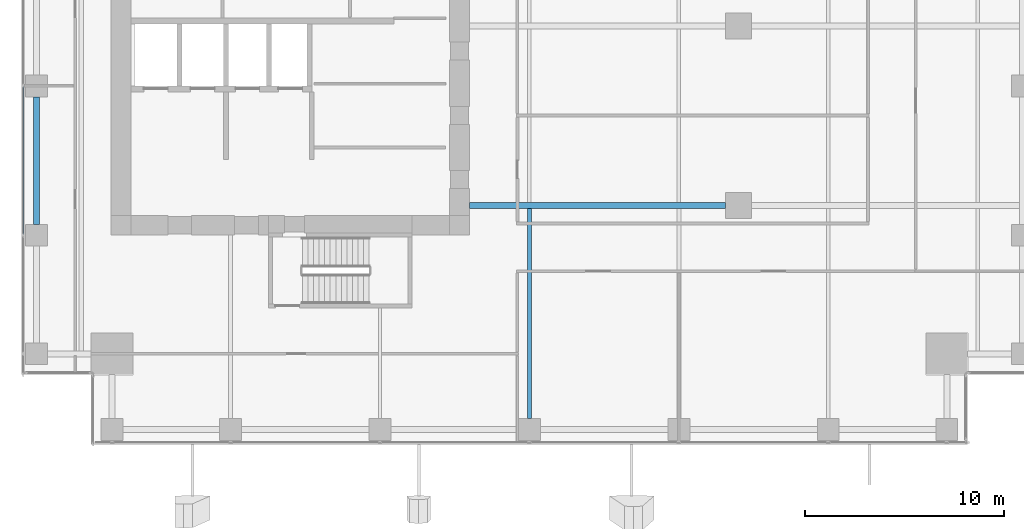
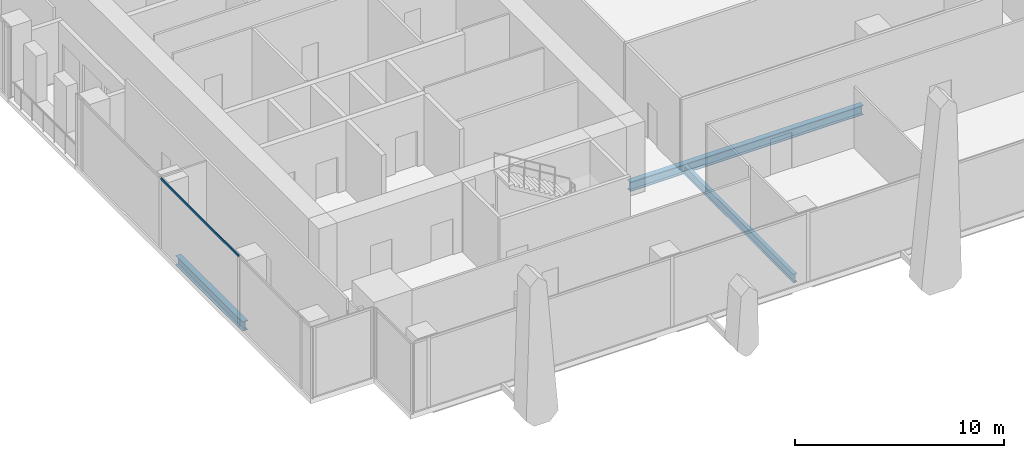
# One storey, part 6 of 35: 3 beams, 1 member, 1 element without a shape of its own.
"""IFC4 building model written with IfcOpenShell, lengths in metres."""

from ifc_helpers import new_model, si_unit, direction, frame, origin, origin_2d, place, context, subcontext, project, spatial, hollow_rectangle, i_section, extrude, source, transform, mapped, material, material_profile, profile_set, type_object, element, aggregate, save


model = new_model("IFC4")

# Units and contexts
model_context = context("Model", 3, precision=1e-05, world=origin(), true_north=direction((0.0, 1.0)))
body_context = subcontext(model_context, "Body", "Model", "MODEL_VIEW")
ifc_project = project(units=[si_unit("LENGTHUNIT", "METRE"), si_unit("AREAUNIT", "SQUARE_METRE"), si_unit("VOLUMEUNIT", "CUBIC_METRE"), si_unit("PLANEANGLEUNIT", "RADIAN"), si_unit("MASSUNIT", "GRAM", prefix="KILO")], contexts=[model_context])

# Site, building, storey
site_placement = place(None, origin())
site = spatial("IfcSite", under=ifc_project, at=site_placement, CompositionType="ELEMENT")
building_placement = place(site_placement, origin())
building = spatial("IfcBuilding", under=site, at=building_placement, Name="Khomas Fold Tower", CompositionType="ELEMENT")
storey_placement = place(building_placement, frame((0.0, 0.0, 136.699951171875)))
storey = spatial("IfcBuildingStorey", under=building, at=storey_placement, Name="L29", CompositionType="ELEMENT", Elevation=136.699951171875)

# Beams
ifc_material_1 = material(Name="Steel S355", Category="steel")
ifc_material_profile_1 = material_profile(ifc_material_1, i_section(OverallWidth=0.300048828125, OverallDepth=0.550048828125, WebThickness=0.014892578125, FlangeThickness=0.029052734375, at=origin_2d()), Name="HE 550 B")
ifc_profile_set_1 = profile_set([ifc_material_profile_1], Name="Steel S355")
beam_type_1 = type_object("IfcBeamType", Name="HE 550 B spandrel SB2", PredefinedType="SPANDREL", material=ifc_profile_set_1)
shared_shape_1 = source(origin(), body_context, "Body", "SweptSolid", [
    extrude(i_section(OverallWidth=0.300048828125, OverallDepth=0.550048828125, WebThickness=0.014892578125, FlangeThickness=0.029052734375, at=origin_2d()), origin(), (0.0, 0.0, 1.0), 6.39990234375),
])
beam_1_placement = place(storey_placement, frame((2.25, 12.550048828125, -0.574951171875), z_axis=(0.0, 1.0, 0.0), x_axis=(-1.0, 0.0, 0.0)))
element("IfcBeam", 1, at=beam_1_placement, inside=storey, type_object=beam_type_1, Name="SB2", PredefinedType="SPANDREL", context=body_context, shape_type="MappedRepresentation", body=[
    mapped(shared_shape_1, transform((0.0, 0.0, 0.0))),
])
ifc_material_2 = material(Name="Steel S355", Category="steel")
ifc_material_profile_2 = material_profile(ifc_material_2, i_section(OverallWidth=0.300048828125, OverallDepth=0.550048828125, WebThickness=0.014892578125, FlangeThickness=0.029052734375, at=origin_2d()), Name="HE 550 B")
ifc_profile_set_2 = profile_set([ifc_material_profile_2], Name="Steel S355")
beam_type_2 = type_object("IfcBeamType", Name="HE 550 B beam GB4", PredefinedType="BEAM", material=ifc_profile_set_2)
shared_shape_2 = source(origin(), body_context, "Body", "SweptSolid", [
    extrude(i_section(OverallWidth=0.300048828125, OverallDepth=0.550048828125, WebThickness=0.014892578125, FlangeThickness=0.029052734375, at=origin_2d()), origin(), (0.0, 0.0, 1.0), 12.85009765625),
])
beam_2_placement = place(storey_placement, frame((24.0, 13.5, -0.574951171875), z_axis=(1.0, 0.0, 0.0), x_axis=(0.0, 1.0, 0.0)))
element("IfcBeam", 2, at=beam_2_placement, inside=storey, type_object=beam_type_2, Name="GB4", PredefinedType="BEAM", context=body_context, shape_type="MappedRepresentation", body=[
    mapped(shared_shape_2, transform((0.0, 0.0, 0.0))),
])
ifc_material_3 = material(Name="Steel S355", Category="steel")
ifc_material_profile_3 = material_profile(ifc_material_3, i_section(OverallWidth=0.199951171875, OverallDepth=0.5, WebThickness=0.01025390625, FlangeThickness=0.01611328125, at=origin_2d()), Name="IPE 500")
ifc_profile_set_3 = profile_set([ifc_material_profile_3], Name="Steel S355")
beam_type_3 = type_object("IfcBeamType", Name="IPE 500 beam JB5", PredefinedType="BEAM", material=ifc_profile_set_3)
shared_shape_3 = source(origin(), body_context, "Body", "SweptSolid", [
    extrude(i_section(OverallWidth=0.199951171875, OverallDepth=0.5, WebThickness=0.01025390625, FlangeThickness=0.01611328125, at=origin_2d()), origin(), (0.0, 0.0, 1.0), 10.550048828125),
])
beam_3_placement = place(storey_placement, frame((27.0, 2.800048828125, -0.550048828125), z_axis=(0.0, 1.0, 0.0), x_axis=(-1.0, 0.0, 0.0)))
element("IfcBeam", 3, at=beam_3_placement, inside=storey, type_object=beam_type_3, Name="JB5", PredefinedType="BEAM", context=body_context, shape_type="MappedRepresentation", body=[
    mapped(shared_shape_3, transform((0.0, 0.0, 0.0))),
])

# Curtain wall, member
ifc_material_4 = material(Name="Aluminium framed double glazing", Category="aluminium")
curtain_wall_type = type_object("IfcCurtainWallType", Name="SK-Unitised clear-glass wall, growing floors CW1", PredefinedType="NOTDEFINED", material=ifc_material_4)
curtain_wall_placement = place(storey_placement, origin())
curtain_wall = element("IfcCurtainWall", 4, at=curtain_wall_placement, inside=storey, type_object=curtain_wall_type, Name="CW1 run L29 09-1", PredefinedType="NOTDEFINED")
ifc_material_5 = material(Name="Aluminium", Category="aluminium")
ifc_material_profile_4 = material_profile(ifc_material_5, hollow_rectangle(XDim=0.06005859375, YDim=0.1201171875, WallThickness=0.00390625, at=origin_2d()), Name="SK-Unitised clear-glass wall, growing floors transom CW1-T")
ifc_profile_set_4 = profile_set([ifc_material_profile_4], Name="Aluminium")
member_type = type_object("IfcMemberType", Name="SK-Unitised clear-glass wall, growing floors transom CW1-T", PredefinedType="USERDEFINED", material=ifc_profile_set_4)
shared_shape_4 = source(origin(), body_context, "Body", "SweptSolid", [
    extrude(hollow_rectangle(XDim=0.06005859375, YDim=0.1201171875, WallThickness=0.00390625, at=origin_2d()), origin(), (0.0, 0.0, 1.0), 7.43994140625),
])
member_placement = place(storey_placement, frame((1.60009765625, 19.469970703125, 4.0400390625), z_axis=(0.0, -1.0, 0.0), x_axis=(1.0, 0.0, 0.0)))
member = element("IfcMember", 5, at=member_placement, type_object=member_type, Name="CW1 transom 3", ObjectType="TRANSOM", PredefinedType="USERDEFINED", context=body_context, shape_type="MappedRepresentation", body=[
    mapped(shared_shape_4, transform((0.0, 0.0, 0.0))),
])
aggregate(curtain_wall, [member])

save(model, "model.ifc")
